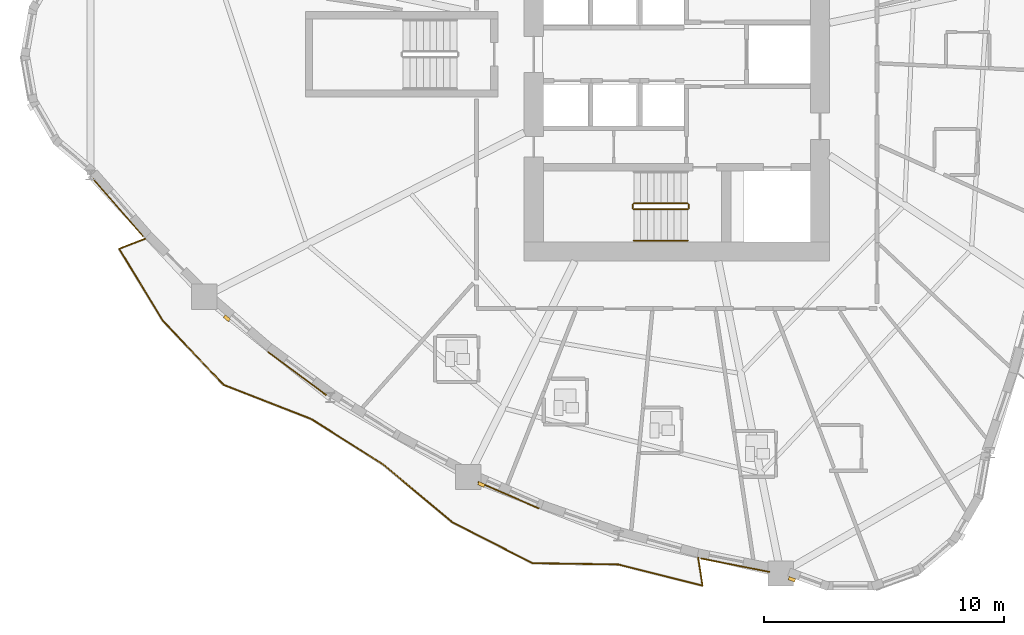
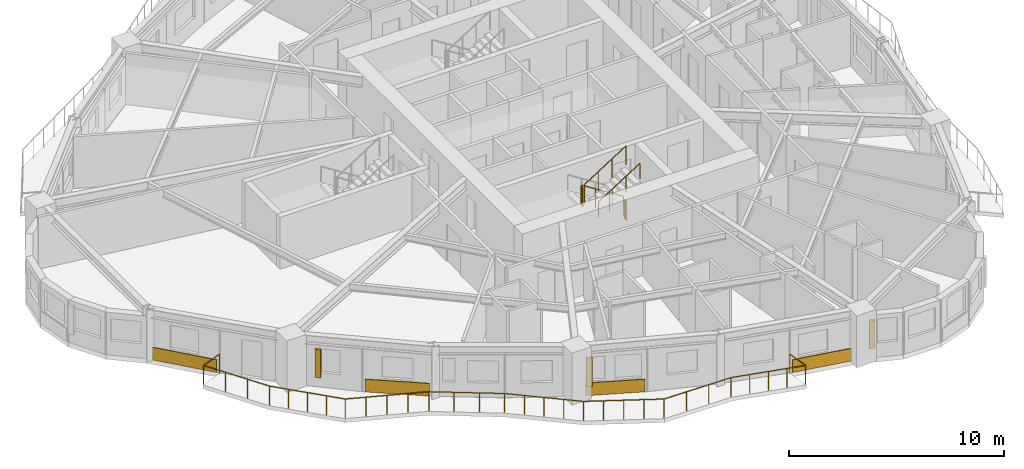
# One storey, part 10 of 14: 6 railings, 4 coverings, 3 shading devices.
"""IFC4 building model written with IfcOpenShell, lengths in metres."""

from ifc_helpers import new_model, si_unit, direction, frame, origin, origin_2d, place, context, subcontext, project, spatial, rectangle, circle, extrude, source, transform, mapped, material, layer, layer_set, type_object, element, save


model = new_model("IFC4")

# Units and contexts
model_context = context("Model", 3, precision=1e-05, world=origin(), true_north=direction((0.0, 1.0)))
body_context = subcontext(model_context, "Body", "Model", "MODEL_VIEW")
ifc_project = project(units=[si_unit("LENGTHUNIT", "METRE"), si_unit("AREAUNIT", "SQUARE_METRE"), si_unit("VOLUMEUNIT", "CUBIC_METRE"), si_unit("PLANEANGLEUNIT", "RADIAN"), si_unit("MASSUNIT", "GRAM", prefix="KILO")], contexts=[model_context])

# Site, building, storey
site_placement = place(None, origin())
site = spatial("IfcSite", under=ifc_project, at=site_placement, CompositionType="ELEMENT")
building_placement = place(site_placement, origin())
building = spatial("IfcBuilding", under=site, at=building_placement, Name="Qafzar Sky-Pleat Residences", CompositionType="ELEMENT")
storey_placement = place(building_placement, frame((0.0, 0.0, 17.39990234375)))
storey = spatial("IfcBuildingStorey", under=building, at=storey_placement, Name="L04", CompositionType="ELEMENT", Elevation=17.39990234375)

# Shading devices
ifc_material_1 = material(Name="Honed Riyadh limestone solar fin", Category="masonry")
ifc_layer_1 = layer(ifc_material_1, 0.139892578125)
ifc_layer_set_1 = layer_set([ifc_layer_1], Name="Honed Riyadh limestone solar fin")
shading_device_type = type_object("IfcShadingDeviceType", Name="SHD-FIN-STONE", PredefinedType="SHUTTER", material=ifc_layer_set_1)
shared_shape_1 = source(origin(), body_context, "Body", "SweptSolid", [
    extrude(rectangle(XDim=0.139892578125, YDim=0.280029296875, at=origin_2d()), origin(), (0.0, 0.0, 1.0), 1.60009765625),
])
for number, where, z_axis, x_axis, name in (
    (1, (11.630126953125, 15.019287109375, 0.60009765625), (0.0, 0.0, 1.0), (-0.65284819166, -0.757488771301, 0.0), "L04 Limestone Solar Fin 9"),
    (2, (22.21728515625, 8.102783203125, 0.60009765625), (0.0, 0.0, 1.0), (-0.398680095478, -0.917090061809, 0.0), "L04 Limestone Solar Fin 13"),
    (3, (35.13525390625, 4.159423828125, 0.60009765625), (0.0, 0.0, 1.0), (-0.342010122116, -0.939696268148, 0.0), "L04 Limestone Solar Fin 17"),
):
    element("IfcShadingDevice", number, at=place(storey_placement, frame(where, z_axis=z_axis, x_axis=x_axis)), inside=storey, type_object=shading_device_type, Name=name, PredefinedType="SHUTTER", context=body_context, shape_type="MappedRepresentation", body=[
        mapped(shared_shape_1, transform((0.0, 0.0, 0.0), x_axis=(1.0, 0.0, 0.0), y_axis=(0.0, 1.0, 0.0), z_axis=(0.0, 0.0, 1.0), scale=1.0)),
    ])

# Railing
ifc_material_2 = material(Name="Laminated glass and bronze steel balustrade", Category="steel")
railing_type_1 = type_object("IfcRailingType", Name="RAIL-BAL-1100", PredefinedType="BALUSTRADE", material=ifc_material_2)
shared_shape_2 = source(origin(), body_context, "Body", "SweptSolid", [
    extrude(circle(Radius=0.02392578125, at=origin_2d()), frame((0.0, 0.0, 1.076171875), z_axis=(-0.932230081544, -0.361866101017, 0.0), x_axis=(0.361866101017, -0.932230081544, 0.0)), (0.0, 0.0, 1.0), 1.177978515625),
    extrude(circle(Radius=0.02392578125, at=origin_2d()), frame((-1.09814453125, -0.42626953125, 1.076171875), z_axis=(0.519661726711, -0.854372102653, 0.0), x_axis=(0.854372102653, 0.519661726711, 0.0)), (0.0, 0.0, 1.0), 3.50341796875),
    extrude(circle(Radius=0.02392578125, at=origin_2d()), frame((0.722412109375, -3.41943359375, 1.076171875), z_axis=(0.687709565512, -0.725985918254, 0.0), x_axis=(0.725985918254, 0.687709565512, 0.0)), (0.0, 0.0, 1.0), 3.66748046875),
    extrude(circle(Radius=0.02392578125, at=origin_2d()), frame((3.24462890625, -6.08203125, 1.076171875), z_axis=(0.93144750127, -0.363875737552, 0.0), x_axis=(0.363875737552, 0.93144750127, 0.0)), (0.0, 0.0, 1.0), 3.9384765625),
    extrude(circle(Radius=0.02392578125, at=origin_2d()), frame((6.9130859375, -7.51513671875, 1.076171875), z_axis=(0.844773218855, -0.535124479636, 0.0), x_axis=(0.535124479636, 0.844773218855, 0.0)), (0.0, 0.0, 1.0), 3.52978515625),
    extrude(circle(Radius=0.02392578125, at=origin_2d()), frame((9.89501953125, -9.404052734375, 1.076171875), z_axis=(0.766833441336, -0.64184614453, 0.0), x_axis=(0.64184614453, 0.766833441336, 0.0)), (0.0, 0.0, 1.0), 3.72509765625),
    extrude(circle(Radius=0.02392578125, at=origin_2d()), frame((12.75146484375, -11.794921875, 1.076171875), z_axis=(0.890692057988, -0.454607146707, 0.0), x_axis=(0.454607146707, 0.890692057988, 0.0)), (0.0, 0.0, 1.0), 3.756591796875),
    extrude(circle(Radius=0.02392578125, at=origin_2d()), frame((16.097412109375, -13.502685546875, 1.076171875), z_axis=(0.999890937839, -0.014768629826, 0.0), x_axis=(0.014768629826, 0.999890937839, 0.0)), (0.0, 0.0, 1.0), 3.57080078125),
    extrude(circle(Radius=0.02392578125, at=origin_2d()), frame((19.667724609375, -13.555419921875, 1.076171875), z_axis=(0.969791216595, -0.243936459379, 0.0), x_axis=(0.243936459379, 0.969791216595, 0.0)), (0.0, 0.0, 1.0), 3.60791015625),
    extrude(circle(Radius=0.02392578125, at=origin_2d()), frame((23.166748046875, -14.435546875, 1.076171875), z_axis=(-0.152555587296, 0.988294891611, 0.0), x_axis=(-0.988294891611, -0.152555587296, 0.0)), (0.0, 0.0, 1.0), 1.177734375),
    extrude(circle(Radius=0.02099609375, at=origin_2d()), origin(), (0.0, 0.0, 1.0), 1.052001953125),
    extrude(circle(Radius=0.02099609375, at=origin_2d()), frame((-1.09814453125, -0.42626953125, 0.0)), (0.0, 0.0, 1.0), 1.052001953125),
    extrude(circle(Radius=0.02099609375, at=origin_2d()), frame((-0.4912109375, -1.424072265625, 0.0)), (0.0, 0.0, 1.0), 1.052001953125),
    extrude(circle(Radius=0.02099609375, at=origin_2d()), frame((0.115478515625, -2.421630859375, 0.0)), (0.0, 0.0, 1.0), 1.052001953125),
    extrude(circle(Radius=0.02099609375, at=origin_2d()), frame((0.722412109375, -3.41943359375, 0.0)), (0.0, 0.0, 1.0), 1.052001953125),
    extrude(circle(Radius=0.02099609375, at=origin_2d()), frame((1.35302734375, -4.0849609375, 0.0)), (0.0, 0.0, 1.0), 1.052001953125),
    extrude(circle(Radius=0.02099609375, at=origin_2d()), frame((1.9833984375, -4.750732421875, 0.0)), (0.0, 0.0, 1.0), 1.052001953125),
    extrude(circle(Radius=0.02099609375, at=origin_2d()), frame((2.614013671875, -5.41650390625, 0.0)), (0.0, 0.0, 1.0), 1.052001953125),
    extrude(circle(Radius=0.02099609375, at=origin_2d()), frame((3.24462890625, -6.08203125, 0.0)), (0.0, 0.0, 1.0), 1.052001953125),
    extrude(circle(Radius=0.02099609375, at=origin_2d()), frame((4.16162109375, -6.4404296875, 0.0)), (0.0, 0.0, 1.0), 1.052001953125),
    extrude(circle(Radius=0.02099609375, at=origin_2d()), frame((5.078857421875, -6.798583984375, 0.0)), (0.0, 0.0, 1.0), 1.052001953125),
    extrude(circle(Radius=0.02099609375, at=origin_2d()), frame((5.99609375, -7.15673828125, 0.0)), (0.0, 0.0, 1.0), 1.052001953125),
    extrude(circle(Radius=0.02099609375, at=origin_2d()), frame((6.9130859375, -7.51513671875, 0.0)), (0.0, 0.0, 1.0), 1.052001953125),
    extrude(circle(Radius=0.02099609375, at=origin_2d()), frame((7.906982421875, -8.144775390625, 0.0)), (0.0, 0.0, 1.0), 1.052001953125),
    extrude(circle(Radius=0.02099609375, at=origin_2d()), frame((8.901123046875, -8.7744140625, 0.0)), (0.0, 0.0, 1.0), 1.052001953125),
    extrude(circle(Radius=0.02099609375, at=origin_2d()), frame((9.89501953125, -9.404052734375, 0.0)), (0.0, 0.0, 1.0), 1.052001953125),
    extrude(circle(Radius=0.02099609375, at=origin_2d()), frame((10.609130859375, -10.001708984375, 0.0)), (0.0, 0.0, 1.0), 1.052001953125),
    extrude(circle(Radius=0.02099609375, at=origin_2d()), frame((11.3232421875, -10.599609375, 0.0)), (0.0, 0.0, 1.0), 1.052001953125),
    extrude(circle(Radius=0.02099609375, at=origin_2d()), frame((12.037353515625, -11.197265625, 0.0)), (0.0, 0.0, 1.0), 1.052001953125),
    extrude(circle(Radius=0.02099609375, at=origin_2d()), frame((12.75146484375, -11.794921875, 0.0)), (0.0, 0.0, 1.0), 1.052001953125),
    extrude(circle(Radius=0.02099609375, at=origin_2d()), frame((13.587890625, -12.221923828125, 0.0)), (0.0, 0.0, 1.0), 1.052001953125),
    extrude(circle(Radius=0.02099609375, at=origin_2d()), frame((14.42431640625, -12.64892578125, 0.0)), (0.0, 0.0, 1.0), 1.052001953125),
    extrude(circle(Radius=0.02099609375, at=origin_2d()), frame((15.260986328125, -13.07568359375, 0.0)), (0.0, 0.0, 1.0), 1.052001953125),
    extrude(circle(Radius=0.02099609375, at=origin_2d()), frame((16.097412109375, -13.502685546875, 0.0)), (0.0, 0.0, 1.0), 1.052001953125),
    extrude(circle(Radius=0.02099609375, at=origin_2d()), frame((17.28759765625, -13.520263671875, 0.0)), (0.0, 0.0, 1.0), 1.052001953125),
    extrude(circle(Radius=0.02099609375, at=origin_2d()), frame((18.4775390625, -13.537841796875, 0.0)), (0.0, 0.0, 1.0), 1.052001953125),
    extrude(circle(Radius=0.02099609375, at=origin_2d()), frame((19.667724609375, -13.555419921875, 0.0)), (0.0, 0.0, 1.0), 1.052001953125),
    extrude(circle(Radius=0.02099609375, at=origin_2d()), frame((20.54248046875, -13.775390625, 0.0)), (0.0, 0.0, 1.0), 1.052001953125),
    extrude(circle(Radius=0.02099609375, at=origin_2d()), frame((21.417236328125, -13.99560546875, 0.0)), (0.0, 0.0, 1.0), 1.052001953125),
    extrude(circle(Radius=0.02099609375, at=origin_2d()), frame((22.2919921875, -14.215576171875, 0.0)), (0.0, 0.0, 1.0), 1.052001953125),
    extrude(circle(Radius=0.02099609375, at=origin_2d()), frame((23.166748046875, -14.435546875, 0.0)), (0.0, 0.0, 1.0), 1.052001953125),
    extrude(circle(Radius=0.02099609375, at=origin_2d()), frame((22.987060546875, -13.271484375, 0.0)), (0.0, 0.0, 1.0), 1.052001953125),
])
railing_1_placement = place(storey_placement, frame((8.24853515625, 18.33251953125, 0.0)))
element("IfcRailing", 4, at=railing_1_placement, inside=storey, type_object=railing_type_1, Name="L04 Pleated Balcony 3 Balustrade", PredefinedType="BALUSTRADE", context=body_context, shape_type="MappedRepresentation", body=[
    mapped(shared_shape_2, transform((0.0, 0.0, 0.0), x_axis=(1.0, 0.0, 0.0), y_axis=(0.0, 1.0, 0.0), z_axis=(0.0, 0.0, 1.0), scale=1.0)),
])

# Coverings
ifc_material_3 = material(Name="Honed Riyadh Tuwaiq limestone cladding", Category="masonry")
ifc_layer_2 = layer(ifc_material_3, 0.044921875)
ifc_layer_set_2 = layer_set([ifc_layer_2], Name="Honed Riyadh Tuwaiq limestone cladding")
covering_type = type_object("IfcCoveringType", Name="COV-CLAD-STONE", PredefinedType="CLADDING", material=ifc_layer_set_2)
shared_shape_3 = source(origin(), body_context, "Body", "SweptSolid", [
    extrude(rectangle(XDim=3.17041015625, YDim=0.044921875, at=origin_2d()), origin(), (0.0, 0.0, 1.0), 0.719970703125),
])
covering_1_placement = place(storey_placement, frame((7.10986328125, 19.62060546875, 0.02001953125), z_axis=(0.0, 0.0, 1.0), x_axis=(0.65762184778, -0.753348196602, 0.0)))
element("IfcCovering", 5, at=covering_1_placement, inside=storey, type_object=covering_type, Name="L04 Riyadh Limestone Spandrel Cladding 7", PredefinedType="CLADDING", context=body_context, shape_type="MappedRepresentation", body=[
    mapped(shared_shape_3, transform((0.0, 0.0, 0.0), x_axis=(1.0, 0.0, 0.0), y_axis=(0.0, 1.0, 0.0), z_axis=(0.0, 0.0, 1.0), scale=1.0)),
])
shared_shape_4 = source(origin(), body_context, "Body", "SweptSolid", [
    extrude(rectangle(XDim=3.02001953125, YDim=0.044921875, at=origin_2d()), origin(), (0.0, 0.0, 1.0), 0.719970703125),
])
covering_2_placement = place(storey_placement, frame((14.55224609375, 12.71826171875, 0.02001953125), z_axis=(0.0, 0.0, 1.0), x_axis=(0.803806841776, -0.594890377393, 0.0)))
element("IfcCovering", 6, at=covering_2_placement, inside=storey, type_object=covering_type, Name="L04 Riyadh Limestone Spandrel Cladding 10", PredefinedType="CLADDING", context=body_context, shape_type="MappedRepresentation", body=[
    mapped(shared_shape_4, transform((0.0, 0.0, 0.0), x_axis=(1.0, 0.0, 0.0), y_axis=(0.0, 1.0, 0.0), z_axis=(0.0, 0.0, 1.0), scale=1.0)),
])
shared_shape_5 = source(origin(), body_context, "Body", "SweptSolid", [
    extrude(rectangle(XDim=2.76806640625, YDim=0.044921875, at=origin_2d()), origin(), (0.0, 0.0, 1.0), 0.719970703125),
])
covering_3_placement = place(storey_placement, frame((23.35009765625, 7.656982421875, 0.02001953125), z_axis=(0.0, 0.0, 1.0), x_axis=(0.917082462129, -0.398697576686, 0.0)))
element("IfcCovering", 7, at=covering_3_placement, inside=storey, type_object=covering_type, Name="L04 Riyadh Limestone Spandrel Cladding 13", PredefinedType="CLADDING", context=body_context, shape_type="MappedRepresentation", body=[
    mapped(shared_shape_5, transform((0.0, 0.0, 0.0), x_axis=(1.0, 0.0, 0.0), y_axis=(0.0, 1.0, 0.0), z_axis=(0.0, 0.0, 1.0), scale=1.0)),
])
shared_shape_6 = source(origin(), body_context, "Body", "SweptSolid", [
    extrude(rectangle(XDim=2.918212890625, YDim=0.044921875, at=origin_2d()), origin(), (0.0, 0.0, 1.0), 0.719970703125),
])
covering_4_placement = place(storey_placement, frame((32.783203125, 4.745849609375, 0.02001953125), z_axis=(0.0, 0.0, 1.0), x_axis=(0.981229963497, -0.192841278608, 0.0)))
element("IfcCovering", 8, at=covering_4_placement, inside=storey, type_object=covering_type, Name="L04 Riyadh Limestone Spandrel Cladding 16", PredefinedType="CLADDING", context=body_context, shape_type="MappedRepresentation", body=[
    mapped(shared_shape_6, transform((0.0, 0.0, 0.0), x_axis=(1.0, 0.0, 0.0), y_axis=(0.0, 1.0, 0.0), z_axis=(0.0, 0.0, 1.0), scale=1.0)),
])

# Railings
ifc_material_4 = material(Name="Painted Steel S355 stair guardrail", Category="steel")
railing_type_2 = type_object("IfcRailingType", Name="RAIL-STAIR-GUARD", PredefinedType="GUARDRAIL", material=ifc_material_4)
shared_shape_7 = source(origin(), body_context, "Body", "SweptSolid", [
    extrude(circle(Radius=0.02392578125, at=origin_2d()), frame((0.0, 0.0, 1.076171875), z_axis=(0.0, -1.0, 0.0), x_axis=(1.0, 0.0, 0.0)), (0.0, 0.0, 1.0), 0.14990234375),
    extrude(circle(Radius=0.02099609375, at=origin_2d()), origin(), (0.0, 0.0, 1.0), 1.052001953125),
    extrude(circle(Radius=0.02099609375, at=origin_2d()), frame((0.0, -0.14990234375, 0.0)), (0.0, 0.0, 1.0), 1.052001953125),
])
for number, where, name in (
    (9, (28.510009765625, 19.75, 1.60009765625), "L04 ST1 stair guard 2"),
    (10, (30.85009765625, 19.75, 0.0), "L04 ST1 stair guard 4"),
):
    element("IfcRailing", number, at=place(storey_placement, frame(where)), inside=storey, type_object=railing_type_2, Name=name, PredefinedType="GUARDRAIL", context=body_context, shape_type="MappedRepresentation", body=[
        mapped(shared_shape_7, transform((0.0, 0.0, 0.0), x_axis=(1.0, 0.0, 0.0), y_axis=(0.0, 1.0, 0.0), z_axis=(0.0, 0.0, 1.0), scale=1.0)),
    ])
shared_shape_8 = source(origin(), body_context, "Body", "SweptSolid", [
    extrude(circle(Radius=0.02392578125, at=origin_2d()), frame((0.0, 0.0, 1.076171875), z_axis=(-0.8442293374, 0.0, 0.53598211339), x_axis=(0.0, -1.0, 0.0)), (0.0, 0.0, 1.0), 2.6533203125),
    extrude(circle(Radius=0.02099609375, at=origin_2d()), origin(), (0.0, 0.0, 1.0), 1.052001953125),
    extrude(circle(Radius=0.02099609375, at=origin_2d()), frame((-0.74658203125, 0.0, 0.47412109375)), (0.0, 0.0, 1.0), 1.052001953125),
    extrude(circle(Radius=0.02099609375, at=origin_2d()), frame((-1.493408203125, 0.0, 0.947998046875)), (0.0, 0.0, 1.0), 1.052001953125),
    extrude(circle(Radius=0.02099609375, at=origin_2d()), frame((-2.239990234375, 0.0, 1.422119140625)), (0.0, 0.0, 1.0), 1.052001953125),
])
railing_2_placement = place(storey_placement, frame((30.800048828125, 19.800048828125, 0.177978515625)))
element("IfcRailing", 11, at=railing_2_placement, inside=storey, type_object=railing_type_2, Name="L04 ST1 stair guard 1", PredefinedType="GUARDRAIL", context=body_context, shape_type="MappedRepresentation", body=[
    mapped(shared_shape_8, transform((0.0, 0.0, 0.0), x_axis=(1.0, 0.0, 0.0), y_axis=(0.0, 1.0, 0.0), z_axis=(0.0, 0.0, 1.0), scale=1.0)),
])
shared_shape_9 = source(origin(), body_context, "Body", "SweptSolid", [
    extrude(circle(Radius=0.02392578125, at=origin_2d()), frame((0.0, 0.0, 1.076171875), z_axis=(0.84418770128, 0.0, 0.536047689118), x_axis=(0.0, 1.0, 0.0)), (0.0, 0.0, 1.0), 2.6533203125),
    extrude(circle(Radius=0.02099609375, at=origin_2d()), origin(), (0.0, 0.0, 1.0), 1.052001953125),
    extrude(circle(Radius=0.02099609375, at=origin_2d()), frame((0.74658203125, 0.0, 0.47412109375)), (0.0, 0.0, 1.0), 1.052001953125),
    extrude(circle(Radius=0.02099609375, at=origin_2d()), frame((1.493408203125, 0.0, 0.9482421875)), (0.0, 0.0, 1.0), 1.052001953125),
    extrude(circle(Radius=0.02099609375, at=origin_2d()), frame((2.239990234375, 0.0, 1.42236328125)), (0.0, 0.0, 1.0), 1.052001953125),
])
railing_3_placement = place(storey_placement, frame((28.56005859375, 19.550048828125, 1.77783203125)))
element("IfcRailing", 12, at=railing_3_placement, inside=storey, type_object=railing_type_2, Name="L04 ST1 stair guard 3", PredefinedType="GUARDRAIL", context=body_context, shape_type="MappedRepresentation", body=[
    mapped(shared_shape_9, transform((0.0, 0.0, 0.0), x_axis=(1.0, 0.0, 0.0), y_axis=(0.0, 1.0, 0.0), z_axis=(0.0, 0.0, 1.0), scale=1.0)),
])
ifc_material_5 = material(Name="Brushed stainless steel handrail", Category="steel")
railing_type_3 = type_object("IfcRailingType", Name="RAIL-STAIR-HAND", PredefinedType="HANDRAIL", material=ifc_material_5)
shared_shape_10 = source(origin(), body_context, "Body", "SweptSolid", [
    extrude(circle(Radius=0.02392578125, at=origin_2d()), frame((0.0, 0.0, 0.8759765625), z_axis=(0.84418770128, 0.0, 0.536047689118), x_axis=(0.0, 1.0, 0.0)), (0.0, 0.0, 1.0), 2.6533203125),
    extrude(circle(Radius=0.02099609375, at=origin_2d()), origin(), (0.0, 0.0, 1.0), 0.851806640625),
    extrude(circle(Radius=0.02099609375, at=origin_2d()), frame((0.74658203125, 0.0, 0.47412109375)), (0.0, 0.0, 1.0), 0.851806640625),
    extrude(circle(Radius=0.02099609375, at=origin_2d()), frame((1.493408203125, 0.0, 0.9482421875)), (0.0, 0.0, 1.0), 0.851806640625),
    extrude(circle(Radius=0.02099609375, at=origin_2d()), frame((2.239990234375, 0.0, 1.42236328125)), (0.0, 0.0, 1.0), 0.851806640625),
])
railing_4_placement = place(storey_placement, frame((28.56005859375, 18.25, 1.77783203125)))
element("IfcRailing", 13, at=railing_4_placement, inside=storey, type_object=railing_type_3, Name="L04 ST1 stair handrail 2", PredefinedType="HANDRAIL", context=body_context, shape_type="MappedRepresentation", body=[
    mapped(shared_shape_10, transform((0.0, 0.0, 0.0), x_axis=(1.0, 0.0, 0.0), y_axis=(0.0, 1.0, 0.0), z_axis=(0.0, 0.0, 1.0), scale=1.0)),
])

save(model, "model.ifc")
